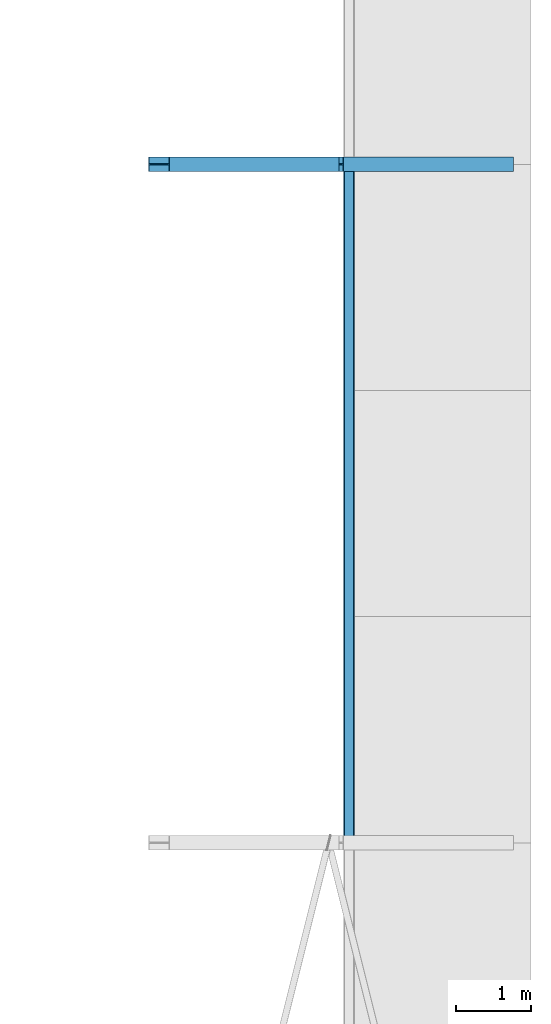
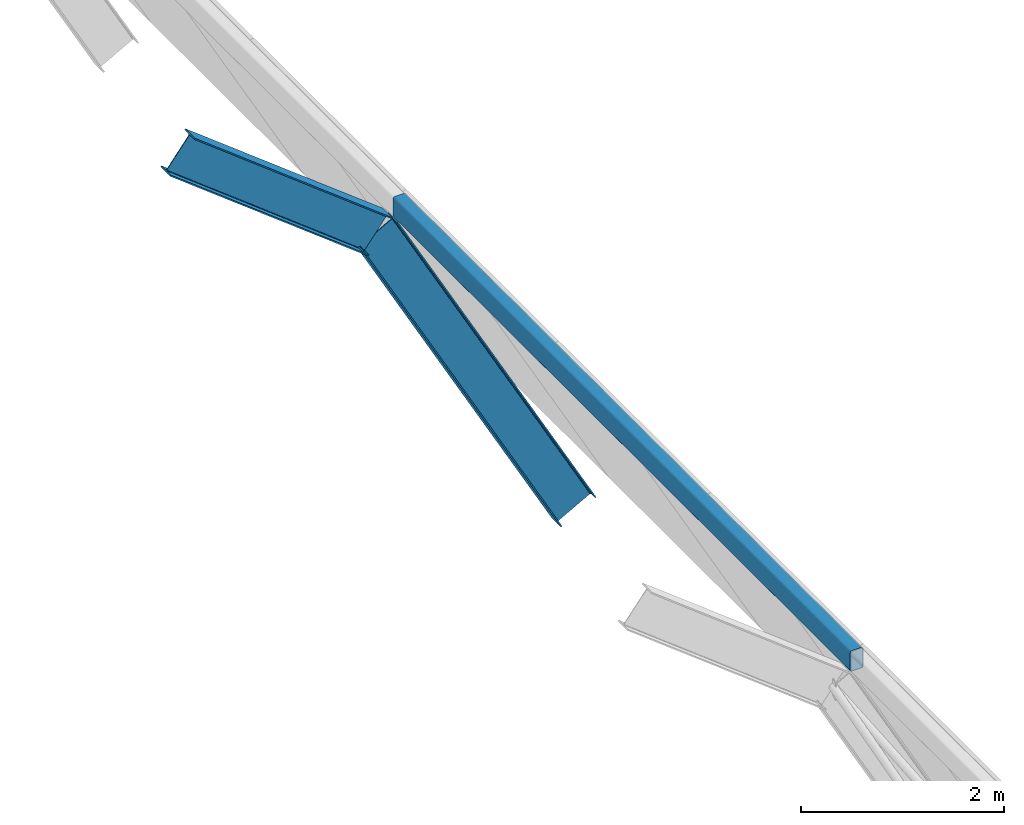
# One storey, part 19 of 62: 2 beams, 1 member.
"""IFC4 building model written with IfcOpenShell, lengths in metres."""

from ifc_helpers import new_model, si_unit, direction, frame, origin, origin_2d, place, context, subcontext, project, spatial, hollow_rectangle, i_section, extrude, material, material_profile, profile_set, type_object, element, save


model = new_model("IFC4")

# Units and contexts
model_context = context("Model", 3, precision=1e-05, world=origin(), true_north=direction((0.0, 1.0)))
body_context = subcontext(model_context, "Body", "Model", "MODEL_VIEW")
ifc_project = project(units=[si_unit("LENGTHUNIT", "METRE"), si_unit("AREAUNIT", "SQUARE_METRE"), si_unit("VOLUMEUNIT", "CUBIC_METRE"), si_unit("PLANEANGLEUNIT", "RADIAN"), si_unit("MASSUNIT", "GRAM", prefix="KILO")], contexts=[model_context])

# Site, building, storey
site_placement = place(None, origin())
site = spatial("IfcSite", under=ifc_project, at=site_placement, CompositionType="ELEMENT")
building_placement = place(site_placement, origin())
building = spatial("IfcBuilding", under=site, at=building_placement, Name="Hortulan Conservatory and Botanical Research Centre", CompositionType="ELEMENT")
storey_placement = place(building_placement, frame((0.0, 0.0, 15.0)))
storey = spatial("IfcBuildingStorey", under=building, at=storey_placement, Name="L03", CompositionType="ELEMENT", Elevation=15.0)

# Beams
ifc_material_1 = material(Name="Steel Grade 300PLUS (AS/NZS 3679.1, 280 MPa minimum yield)", Category="steel")
ifc_material_profile_1 = material_profile(ifc_material_1, i_section(OverallWidth=0.18994140625, OverallDepth=0.45703125, WebThickness=0.009033203125, FlangeThickness=0.014404296875, FilletRadius=0.011474609375, at=origin_2d()), Name="460UB74.6")
ifc_profile_set_1 = profile_set([ifc_material_profile_1], Name="Steel Grade 300PLUS (AS/NZS 3679.1, 280 MPa minimum yield)")
beam_type = type_object("IfcBeamType", Name="Vault Arch 460UB74.6", PredefinedType="BEAM", material=ifc_profile_set_1)
beam_1_placement = place(storey_placement, frame((103.5, 54.0, 4.8369140625), z_axis=(0.790057951817, 0.0, -0.613032162917), x_axis=(0.0, 1.0, 0.0)))
element("IfcBeam", 1, at=beam_1_placement, inside=storey, type_object=beam_type, Name="Vault arch 3 chord 7", PredefinedType="BEAM", context=body_context, shape_type="SweptSolid", body=[
    extrude(i_section(OverallWidth=0.18994140625, OverallDepth=0.45703125, WebThickness=0.009033203125, FlangeThickness=0.014404296875, FilletRadius=0.011474609375, at=origin_2d()), origin(), (0.0, 0.0, 1.0), 2.847900390625),
])
beam_2_placement = place(storey_placement, frame((105.75, 54.0, 3.091064453125), z_axis=(0.481904698653, 0.0, -0.876223636646), x_axis=(0.0, 1.0, 0.0)))
element("IfcBeam", 2, at=beam_2_placement, inside=storey, type_object=beam_type, Name="Vault arch 3 chord 8", PredefinedType="BEAM", context=body_context, shape_type="SweptSolid", body=[
    extrude(i_section(OverallWidth=0.18994140625, OverallDepth=0.45703125, WebThickness=0.009033203125, FlangeThickness=0.014404296875, FilletRadius=0.011474609375, at=origin_2d()), origin(), (0.0, 0.0, 1.0), 4.6689453125),
])

# Member
ifc_material_2 = material(Name="Steel Grade C450L0 (450 MPa, AS/NZS 1163)", Category="steel")
ifc_material_profile_2 = material_profile(ifc_material_2, hollow_rectangle(XDim=0.14990234375, YDim=0.25, WallThickness=0.009033203125, InnerFilletRadius=0.013427734375, OuterFilletRadius=0.0224609375, at=origin_2d()), Name="250x150x9RHS")
ifc_profile_set_2 = profile_set([ifc_material_profile_2], Name="Steel Grade C450L0 (450 MPa, AS/NZS 1163)")
member_type = type_object("IfcMemberType", Name="Vault Purlin 250x150x9 RHS", PredefinedType="PURLIN", material=ifc_profile_set_2)
member_placement = place(storey_placement, frame((106.0205078125, 45.0, 3.322021484375), z_axis=(0.0, 1.0, 0.0), x_axis=(-1.0, 0.0, 0.0)))
element("IfcMember", 3, at=member_placement, inside=storey, type_object=member_type, Name="Vault purlin 7 bay 2", PredefinedType="PURLIN", context=body_context, shape_type="SweptSolid", body=[
    extrude(hollow_rectangle(XDim=0.14990234375, YDim=0.25, WallThickness=0.009033203125, InnerFilletRadius=0.013427734375, OuterFilletRadius=0.0224609375, at=origin_2d()), origin(), (0.0, 0.0, 1.0), 9.0),
])

save(model, "model.ifc")
